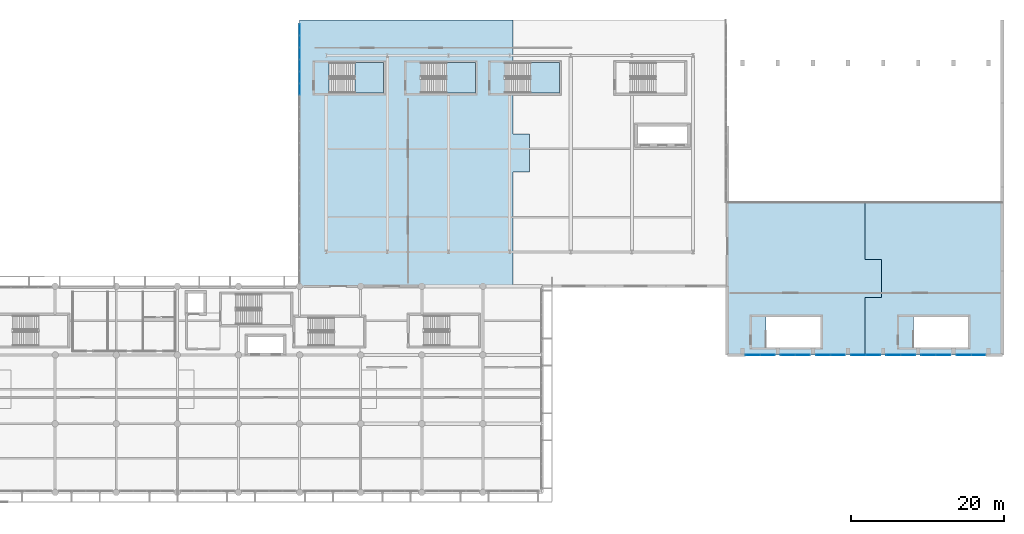
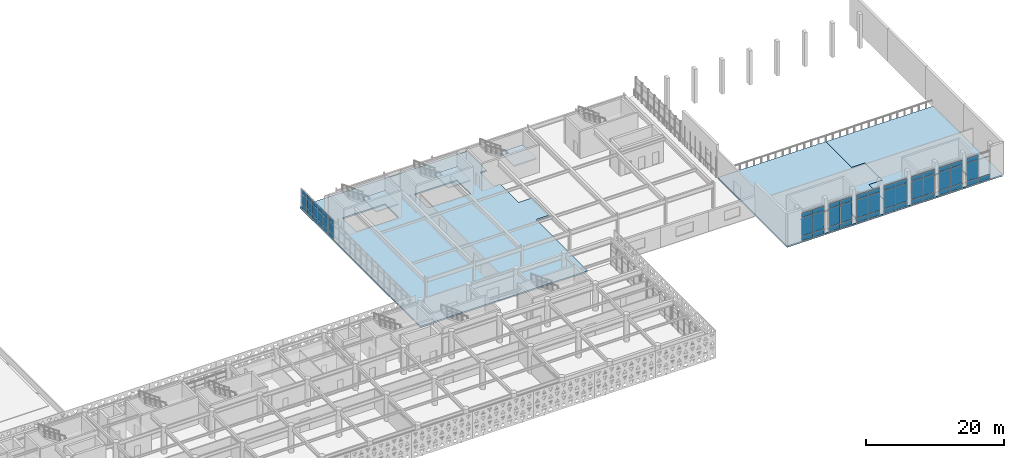
# One storey, part 33 of 54: 58 plates, 6 slabs, 11 elements without a shape of their own.
"""IFC4 building model written with IfcOpenShell, lengths in metres."""

from ifc_helpers import new_model, si_unit, direction, frame, origin, origin_2d, place, context, subcontext, project, spatial, polyline, rectangle, outline, extrude, material, layer, layer_set, type_object, element, aggregate, save


model = new_model("IFC4")

# Units and contexts
model_context = context("Model", 3, precision=1e-05, world=origin(), true_north=direction((0.0, 1.0)))
body_context = subcontext(model_context, "Body", "Model", "MODEL_VIEW")
ifc_project = project(units=[si_unit("LENGTHUNIT", "METRE"), si_unit("AREAUNIT", "SQUARE_METRE"), si_unit("VOLUMEUNIT", "CUBIC_METRE"), si_unit("PLANEANGLEUNIT", "RADIAN"), si_unit("MASSUNIT", "GRAM", prefix="KILO")], contexts=[model_context])

# Site, building, storey
site_placement = place(None, origin())
site = spatial("IfcSite", under=ifc_project, at=site_placement, CompositionType="ELEMENT")
building_placement = place(site_placement, origin())
building = spatial("IfcBuilding", under=site, at=building_placement, Name="Tlacozan Convention Centre", CompositionType="ELEMENT")
storey_placement = place(building_placement, frame((0.0, 0.0, 11.39990234375)))
storey = spatial("IfcBuildingStorey", under=building, at=storey_placement, Name="L02", CompositionType="ELEMENT", Elevation=11.39990234375)

# Curtain wall, plates
ifc_material_1 = material(Name="Dark Bronze Anodised Aluminium", Category="aluminium")
ifc_layer_1 = layer(ifc_material_1, 0.139892578125)
ifc_layer_set_1 = layer_set([ifc_layer_1], Name="Dark Bronze Anodised Aluminium")
curtain_wall_type_1 = type_object("IfcCurtainWallType", Name="Plenary Foyer L02 Curtain Wall CW12", PredefinedType="NOTDEFINED", material=ifc_layer_set_1)
curtain_wall_1_placement = place(storey_placement, origin())
curtain_wall_1 = element("IfcCurtainWall", 1, at=curtain_wall_1_placement, inside=storey, type_object=curtain_wall_type_1, Name="L02 CW-12 Run 142", PredefinedType="NOTDEFINED")
ifc_material_2 = material(Name="Solar Control Double Low-E Argon Glazing", Category="glass")
ifc_layer_2 = layer(ifc_material_2, 0.030029296875)
ifc_layer_set_2 = layer_set([ifc_layer_2], Name="Solar Control Double Low-E Argon Glazing")
plate_type_1 = type_object("IfcPlateType", Name="Double Low-E Acoustic CW Panel 30", PredefinedType="CURTAIN_PANEL", material=ifc_layer_set_2)
plate_1_placement = place(storey_placement, frame((147.340087890625, 18.0, 0.06005859375), z_axis=(0.0, 0.0, 1.0), x_axis=(1.0, 0.0, 0.0)))
plate_1 = element("IfcPlate", 2, at=plate_1_placement, type_object=plate_type_1, Name="CW-12 panel 1.1", PredefinedType="CURTAIN_PANEL", context=body_context, shape_type="SweptSolid", body=[
    extrude(rectangle(XDim=1.860107421875, YDim=0.030029296875, at=origin_2d()), origin(), (0.0, 0.0, 1.0), 0.81005859375),
])
plate_2_placement = place(storey_placement, frame((147.340087890625, 18.0, 0.93017578125), z_axis=(0.0, 0.0, 1.0), x_axis=(1.0, 0.0, 0.0)))
plate_2 = element("IfcPlate", 3, at=plate_2_placement, type_object=plate_type_1, Name="CW-12 panel 1.2", PredefinedType="CURTAIN_PANEL", context=body_context, shape_type="SweptSolid", body=[
    extrude(rectangle(XDim=1.860107421875, YDim=0.030029296875, at=origin_2d()), origin(), (0.0, 0.0, 1.0), 3.18994140625),
])
plate_3_placement = place(storey_placement, frame((147.340087890625, 18.0, 4.18017578125), z_axis=(0.0, 0.0, 1.0), x_axis=(1.0, 0.0, 0.0)))
plate_3 = element("IfcPlate", 4, at=plate_3_placement, type_object=plate_type_1, Name="CW-12 panel 1.3", PredefinedType="CURTAIN_PANEL", context=body_context, shape_type="SweptSolid", body=[
    extrude(rectangle(XDim=1.860107421875, YDim=0.030029296875, at=origin_2d()), origin(), (0.0, 0.0, 1.0), 0.760009765625),
])
plate_4_placement = place(storey_placement, frame((149.260009765625, 18.0, 0.06005859375), z_axis=(0.0, 0.0, 1.0), x_axis=(1.0, 0.0, 0.0)))
plate_4 = element("IfcPlate", 5, at=plate_4_placement, type_object=plate_type_1, Name="CW-12 panel 2.1", PredefinedType="CURTAIN_PANEL", context=body_context, shape_type="SweptSolid", body=[
    extrude(rectangle(XDim=1.860107421875, YDim=0.030029296875, at=origin_2d()), origin(), (0.0, 0.0, 1.0), 0.81005859375),
])
plate_5_placement = place(storey_placement, frame((149.260009765625, 18.0, 0.93017578125), z_axis=(0.0, 0.0, 1.0), x_axis=(1.0, 0.0, 0.0)))
plate_5 = element("IfcPlate", 6, at=plate_5_placement, type_object=plate_type_1, Name="CW-12 panel 2.2", PredefinedType="CURTAIN_PANEL", context=body_context, shape_type="SweptSolid", body=[
    extrude(rectangle(XDim=1.860107421875, YDim=0.030029296875, at=origin_2d()), origin(), (0.0, 0.0, 1.0), 3.18994140625),
])
plate_6_placement = place(storey_placement, frame((149.260009765625, 18.0, 4.18017578125), z_axis=(0.0, 0.0, 1.0), x_axis=(1.0, 0.0, 0.0)))
plate_6 = element("IfcPlate", 7, at=plate_6_placement, type_object=plate_type_1, Name="CW-12 panel 2.3", PredefinedType="CURTAIN_PANEL", context=body_context, shape_type="SweptSolid", body=[
    extrude(rectangle(XDim=1.860107421875, YDim=0.030029296875, at=origin_2d()), origin(), (0.0, 0.0, 1.0), 0.760009765625),
])
aggregate(curtain_wall_1, [plate_1, plate_2, plate_3, plate_4, plate_5, plate_6])

curtain_wall_2_placement = place(storey_placement, origin())
curtain_wall_2 = element("IfcCurtainWall", 8, at=curtain_wall_2_placement, inside=storey, type_object=curtain_wall_type_1, Name="L02 CW-12 Run 144", PredefinedType="NOTDEFINED")
plate_7_placement = place(storey_placement, frame((151.93994140625, 18.0, 0.06005859375), z_axis=(0.0, 0.0, 1.0), x_axis=(1.0, 0.0, 0.0)))
plate_7 = element("IfcPlate", 9, at=plate_7_placement, type_object=plate_type_1, Name="CW-12 panel 1.1", PredefinedType="CURTAIN_PANEL", context=body_context, shape_type="SweptSolid", body=[
    extrude(rectangle(XDim=1.860107421875, YDim=0.030029296875, at=origin_2d()), origin(), (0.0, 0.0, 1.0), 0.81005859375),
])
plate_8_placement = place(storey_placement, frame((151.93994140625, 18.0, 0.93017578125), z_axis=(0.0, 0.0, 1.0), x_axis=(1.0, 0.0, 0.0)))
plate_8 = element("IfcPlate", 10, at=plate_8_placement, type_object=plate_type_1, Name="CW-12 panel 1.2", PredefinedType="CURTAIN_PANEL", context=body_context, shape_type="SweptSolid", body=[
    extrude(rectangle(XDim=1.860107421875, YDim=0.030029296875, at=origin_2d()), origin(), (0.0, 0.0, 1.0), 3.18994140625),
])
plate_9_placement = place(storey_placement, frame((151.93994140625, 18.0, 4.18017578125), z_axis=(0.0, 0.0, 1.0), x_axis=(1.0, 0.0, 0.0)))
plate_9 = element("IfcPlate", 11, at=plate_9_placement, type_object=plate_type_1, Name="CW-12 panel 1.3", PredefinedType="CURTAIN_PANEL", context=body_context, shape_type="SweptSolid", body=[
    extrude(rectangle(XDim=1.860107421875, YDim=0.030029296875, at=origin_2d()), origin(), (0.0, 0.0, 1.0), 0.760009765625),
])
plate_10_placement = place(storey_placement, frame((153.860107421875, 18.0, 0.06005859375), z_axis=(0.0, 0.0, 1.0), x_axis=(1.0, 0.0, 0.0)))
plate_10 = element("IfcPlate", 12, at=plate_10_placement, type_object=plate_type_1, Name="CW-12 panel 2.1", PredefinedType="CURTAIN_PANEL", context=body_context, shape_type="SweptSolid", body=[
    extrude(rectangle(XDim=1.860107421875, YDim=0.030029296875, at=origin_2d()), origin(), (0.0, 0.0, 1.0), 0.81005859375),
])
plate_11_placement = place(storey_placement, frame((153.860107421875, 18.0, 0.93017578125), z_axis=(0.0, 0.0, 1.0), x_axis=(1.0, 0.0, 0.0)))
plate_11 = element("IfcPlate", 13, at=plate_11_placement, type_object=plate_type_1, Name="CW-12 panel 2.2", PredefinedType="CURTAIN_PANEL", context=body_context, shape_type="SweptSolid", body=[
    extrude(rectangle(XDim=1.860107421875, YDim=0.030029296875, at=origin_2d()), origin(), (0.0, 0.0, 1.0), 3.18994140625),
])
plate_12_placement = place(storey_placement, frame((153.860107421875, 18.0, 4.18017578125), z_axis=(0.0, 0.0, 1.0), x_axis=(1.0, 0.0, 0.0)))
plate_12 = element("IfcPlate", 14, at=plate_12_placement, type_object=plate_type_1, Name="CW-12 panel 2.3", PredefinedType="CURTAIN_PANEL", context=body_context, shape_type="SweptSolid", body=[
    extrude(rectangle(XDim=1.860107421875, YDim=0.030029296875, at=origin_2d()), origin(), (0.0, 0.0, 1.0), 0.760009765625),
])
aggregate(curtain_wall_2, [plate_7, plate_8, plate_9, plate_10, plate_11, plate_12])

curtain_wall_3_placement = place(storey_placement, origin())
curtain_wall_3 = element("IfcCurtainWall", 15, at=curtain_wall_3_placement, inside=storey, type_object=curtain_wall_type_1, Name="L02 CW-12 Run 146", PredefinedType="NOTDEFINED")
plate_13_placement = place(storey_placement, frame((156.5400390625, 18.0, 0.06005859375), z_axis=(0.0, 0.0, 1.0), x_axis=(1.0, 0.0, 0.0)))
plate_13 = element("IfcPlate", 16, at=plate_13_placement, type_object=plate_type_1, Name="CW-12 panel 1.1", PredefinedType="CURTAIN_PANEL", context=body_context, shape_type="SweptSolid", body=[
    extrude(rectangle(XDim=1.860107421875, YDim=0.030029296875, at=origin_2d()), origin(), (0.0, 0.0, 1.0), 0.81005859375),
])
plate_14_placement = place(storey_placement, frame((156.5400390625, 18.0, 0.93017578125), z_axis=(0.0, 0.0, 1.0), x_axis=(1.0, 0.0, 0.0)))
plate_14 = element("IfcPlate", 17, at=plate_14_placement, type_object=plate_type_1, Name="CW-12 panel 1.2", PredefinedType="CURTAIN_PANEL", context=body_context, shape_type="SweptSolid", body=[
    extrude(rectangle(XDim=1.860107421875, YDim=0.030029296875, at=origin_2d()), origin(), (0.0, 0.0, 1.0), 3.18994140625),
])
plate_15_placement = place(storey_placement, frame((156.5400390625, 18.0, 4.18017578125), z_axis=(0.0, 0.0, 1.0), x_axis=(1.0, 0.0, 0.0)))
plate_15 = element("IfcPlate", 18, at=plate_15_placement, type_object=plate_type_1, Name="CW-12 panel 1.3", PredefinedType="CURTAIN_PANEL", context=body_context, shape_type="SweptSolid", body=[
    extrude(rectangle(XDim=1.860107421875, YDim=0.030029296875, at=origin_2d()), origin(), (0.0, 0.0, 1.0), 0.760009765625),
])
plate_16_placement = place(storey_placement, frame((158.4599609375, 18.0, 0.06005859375), z_axis=(0.0, 0.0, 1.0), x_axis=(1.0, 0.0, 0.0)))
plate_16 = element("IfcPlate", 19, at=plate_16_placement, type_object=plate_type_1, Name="CW-12 panel 2.1", PredefinedType="CURTAIN_PANEL", context=body_context, shape_type="SweptSolid", body=[
    extrude(rectangle(XDim=1.860107421875, YDim=0.030029296875, at=origin_2d()), origin(), (0.0, 0.0, 1.0), 0.81005859375),
])
plate_17_placement = place(storey_placement, frame((158.4599609375, 18.0, 0.93017578125), z_axis=(0.0, 0.0, 1.0), x_axis=(1.0, 0.0, 0.0)))
plate_17 = element("IfcPlate", 20, at=plate_17_placement, type_object=plate_type_1, Name="CW-12 panel 2.2", PredefinedType="CURTAIN_PANEL", context=body_context, shape_type="SweptSolid", body=[
    extrude(rectangle(XDim=1.860107421875, YDim=0.030029296875, at=origin_2d()), origin(), (0.0, 0.0, 1.0), 3.18994140625),
])
plate_18_placement = place(storey_placement, frame((158.4599609375, 18.0, 4.18017578125), z_axis=(0.0, 0.0, 1.0), x_axis=(1.0, 0.0, 0.0)))
plate_18 = element("IfcPlate", 21, at=plate_18_placement, type_object=plate_type_1, Name="CW-12 panel 2.3", PredefinedType="CURTAIN_PANEL", context=body_context, shape_type="SweptSolid", body=[
    extrude(rectangle(XDim=1.860107421875, YDim=0.030029296875, at=origin_2d()), origin(), (0.0, 0.0, 1.0), 0.760009765625),
])
aggregate(curtain_wall_3, [plate_13, plate_14, plate_15, plate_16, plate_17, plate_18])

curtain_wall_4_placement = place(storey_placement, origin())
curtain_wall_4 = element("IfcCurtainWall", 22, at=curtain_wall_4_placement, inside=storey, type_object=curtain_wall_type_1, Name="L02 CW-12 Run 148", PredefinedType="NOTDEFINED")
plate_19_placement = place(storey_placement, frame((161.139892578125, 18.0, 0.06005859375), z_axis=(0.0, 0.0, 1.0), x_axis=(1.0, 0.0, 0.0)))
plate_19 = element("IfcPlate", 23, at=plate_19_placement, type_object=plate_type_1, Name="CW-12 panel 1.1", PredefinedType="CURTAIN_PANEL", context=body_context, shape_type="SweptSolid", body=[
    extrude(rectangle(XDim=1.860107421875, YDim=0.030029296875, at=origin_2d()), origin(), (0.0, 0.0, 1.0), 0.81005859375),
])
plate_20_placement = place(storey_placement, frame((161.139892578125, 18.0, 0.93017578125), z_axis=(0.0, 0.0, 1.0), x_axis=(1.0, 0.0, 0.0)))
plate_20 = element("IfcPlate", 24, at=plate_20_placement, type_object=plate_type_1, Name="CW-12 panel 1.2", PredefinedType="CURTAIN_PANEL", context=body_context, shape_type="SweptSolid", body=[
    extrude(rectangle(XDim=1.860107421875, YDim=0.030029296875, at=origin_2d()), origin(), (0.0, 0.0, 1.0), 3.18994140625),
])
plate_21_placement = place(storey_placement, frame((161.139892578125, 18.0, 4.18017578125), z_axis=(0.0, 0.0, 1.0), x_axis=(1.0, 0.0, 0.0)))
plate_21 = element("IfcPlate", 25, at=plate_21_placement, type_object=plate_type_1, Name="CW-12 panel 1.3", PredefinedType="CURTAIN_PANEL", context=body_context, shape_type="SweptSolid", body=[
    extrude(rectangle(XDim=1.860107421875, YDim=0.030029296875, at=origin_2d()), origin(), (0.0, 0.0, 1.0), 0.760009765625),
])
plate_22_placement = place(storey_placement, frame((163.06005859375, 18.0, 0.06005859375), z_axis=(0.0, 0.0, 1.0), x_axis=(1.0, 0.0, 0.0)))
plate_22 = element("IfcPlate", 26, at=plate_22_placement, type_object=plate_type_1, Name="CW-12 panel 2.1", PredefinedType="CURTAIN_PANEL", context=body_context, shape_type="SweptSolid", body=[
    extrude(rectangle(XDim=1.860107421875, YDim=0.030029296875, at=origin_2d()), origin(), (0.0, 0.0, 1.0), 0.81005859375),
])
plate_23_placement = place(storey_placement, frame((163.06005859375, 18.0, 0.93017578125), z_axis=(0.0, 0.0, 1.0), x_axis=(1.0, 0.0, 0.0)))
plate_23 = element("IfcPlate", 27, at=plate_23_placement, type_object=plate_type_1, Name="CW-12 panel 2.2", PredefinedType="CURTAIN_PANEL", context=body_context, shape_type="SweptSolid", body=[
    extrude(rectangle(XDim=1.860107421875, YDim=0.030029296875, at=origin_2d()), origin(), (0.0, 0.0, 1.0), 3.18994140625),
])
plate_24_placement = place(storey_placement, frame((163.06005859375, 18.0, 4.18017578125), z_axis=(0.0, 0.0, 1.0), x_axis=(1.0, 0.0, 0.0)))
plate_24 = element("IfcPlate", 28, at=plate_24_placement, type_object=plate_type_1, Name="CW-12 panel 2.3", PredefinedType="CURTAIN_PANEL", context=body_context, shape_type="SweptSolid", body=[
    extrude(rectangle(XDim=1.860107421875, YDim=0.030029296875, at=origin_2d()), origin(), (0.0, 0.0, 1.0), 0.760009765625),
])
aggregate(curtain_wall_4, [plate_19, plate_20, plate_21, plate_22, plate_23, plate_24])

curtain_wall_5_placement = place(storey_placement, origin())
curtain_wall_5 = element("IfcCurtainWall", 29, at=curtain_wall_5_placement, inside=storey, type_object=curtain_wall_type_1, Name="L02 CW-12 Run 150", PredefinedType="NOTDEFINED")
plate_25_placement = place(storey_placement, frame((165.739990234375, 18.0, 0.06005859375), z_axis=(0.0, 0.0, 1.0), x_axis=(1.0, 0.0, 0.0)))
plate_25 = element("IfcPlate", 30, at=plate_25_placement, type_object=plate_type_1, Name="CW-12 panel 1.1", PredefinedType="CURTAIN_PANEL", context=body_context, shape_type="SweptSolid", body=[
    extrude(rectangle(XDim=1.860107421875, YDim=0.030029296875, at=origin_2d()), origin(), (0.0, 0.0, 1.0), 0.81005859375),
])
plate_26_placement = place(storey_placement, frame((165.739990234375, 18.0, 0.93017578125), z_axis=(0.0, 0.0, 1.0), x_axis=(1.0, 0.0, 0.0)))
plate_26 = element("IfcPlate", 31, at=plate_26_placement, type_object=plate_type_1, Name="CW-12 panel 1.2", PredefinedType="CURTAIN_PANEL", context=body_context, shape_type="SweptSolid", body=[
    extrude(rectangle(XDim=1.860107421875, YDim=0.030029296875, at=origin_2d()), origin(), (0.0, 0.0, 1.0), 3.18994140625),
])
plate_27_placement = place(storey_placement, frame((165.739990234375, 18.0, 4.18017578125), z_axis=(0.0, 0.0, 1.0), x_axis=(1.0, 0.0, 0.0)))
plate_27 = element("IfcPlate", 32, at=plate_27_placement, type_object=plate_type_1, Name="CW-12 panel 1.3", PredefinedType="CURTAIN_PANEL", context=body_context, shape_type="SweptSolid", body=[
    extrude(rectangle(XDim=1.860107421875, YDim=0.030029296875, at=origin_2d()), origin(), (0.0, 0.0, 1.0), 0.760009765625),
])
plate_28_placement = place(storey_placement, frame((167.659912109375, 18.0, 0.06005859375), z_axis=(0.0, 0.0, 1.0), x_axis=(1.0, 0.0, 0.0)))
plate_28 = element("IfcPlate", 33, at=plate_28_placement, type_object=plate_type_1, Name="CW-12 panel 2.1", PredefinedType="CURTAIN_PANEL", context=body_context, shape_type="SweptSolid", body=[
    extrude(rectangle(XDim=1.860107421875, YDim=0.030029296875, at=origin_2d()), origin(), (0.0, 0.0, 1.0), 0.81005859375),
])
plate_29_placement = place(storey_placement, frame((167.659912109375, 18.0, 0.93017578125), z_axis=(0.0, 0.0, 1.0), x_axis=(1.0, 0.0, 0.0)))
plate_29 = element("IfcPlate", 34, at=plate_29_placement, type_object=plate_type_1, Name="CW-12 panel 2.2", PredefinedType="CURTAIN_PANEL", context=body_context, shape_type="SweptSolid", body=[
    extrude(rectangle(XDim=1.860107421875, YDim=0.030029296875, at=origin_2d()), origin(), (0.0, 0.0, 1.0), 3.18994140625),
])
plate_30_placement = place(storey_placement, frame((167.659912109375, 18.0, 4.18017578125), z_axis=(0.0, 0.0, 1.0), x_axis=(1.0, 0.0, 0.0)))
plate_30 = element("IfcPlate", 35, at=plate_30_placement, type_object=plate_type_1, Name="CW-12 panel 2.3", PredefinedType="CURTAIN_PANEL", context=body_context, shape_type="SweptSolid", body=[
    extrude(rectangle(XDim=1.860107421875, YDim=0.030029296875, at=origin_2d()), origin(), (0.0, 0.0, 1.0), 0.760009765625),
])
aggregate(curtain_wall_5, [plate_25, plate_26, plate_27, plate_28, plate_29, plate_30])

curtain_wall_6_placement = place(storey_placement, origin())
curtain_wall_6 = element("IfcCurtainWall", 36, at=curtain_wall_6_placement, inside=storey, type_object=curtain_wall_type_1, Name="L02 CW-12 Run 152", PredefinedType="NOTDEFINED")
plate_31_placement = place(storey_placement, frame((170.340087890625, 18.0, 0.06005859375), z_axis=(0.0, 0.0, 1.0), x_axis=(1.0, 0.0, 0.0)))
plate_31 = element("IfcPlate", 37, at=plate_31_placement, type_object=plate_type_1, Name="CW-12 panel 1.1", PredefinedType="CURTAIN_PANEL", context=body_context, shape_type="SweptSolid", body=[
    extrude(rectangle(XDim=1.860107421875, YDim=0.030029296875, at=origin_2d()), origin(), (0.0, 0.0, 1.0), 0.81005859375),
])
plate_32_placement = place(storey_placement, frame((170.340087890625, 18.0, 0.93017578125), z_axis=(0.0, 0.0, 1.0), x_axis=(1.0, 0.0, 0.0)))
plate_32 = element("IfcPlate", 38, at=plate_32_placement, type_object=plate_type_1, Name="CW-12 panel 1.2", PredefinedType="CURTAIN_PANEL", context=body_context, shape_type="SweptSolid", body=[
    extrude(rectangle(XDim=1.860107421875, YDim=0.030029296875, at=origin_2d()), origin(), (0.0, 0.0, 1.0), 3.18994140625),
])
plate_33_placement = place(storey_placement, frame((170.340087890625, 18.0, 4.18017578125), z_axis=(0.0, 0.0, 1.0), x_axis=(1.0, 0.0, 0.0)))
plate_33 = element("IfcPlate", 39, at=plate_33_placement, type_object=plate_type_1, Name="CW-12 panel 1.3", PredefinedType="CURTAIN_PANEL", context=body_context, shape_type="SweptSolid", body=[
    extrude(rectangle(XDim=1.860107421875, YDim=0.030029296875, at=origin_2d()), origin(), (0.0, 0.0, 1.0), 0.760009765625),
])
plate_34_placement = place(storey_placement, frame((172.260009765625, 18.0, 0.06005859375), z_axis=(0.0, 0.0, 1.0), x_axis=(1.0, 0.0, 0.0)))
plate_34 = element("IfcPlate", 40, at=plate_34_placement, type_object=plate_type_1, Name="CW-12 panel 2.1", PredefinedType="CURTAIN_PANEL", context=body_context, shape_type="SweptSolid", body=[
    extrude(rectangle(XDim=1.860107421875, YDim=0.030029296875, at=origin_2d()), origin(), (0.0, 0.0, 1.0), 0.81005859375),
])
plate_35_placement = place(storey_placement, frame((172.260009765625, 18.0, 0.93017578125), z_axis=(0.0, 0.0, 1.0), x_axis=(1.0, 0.0, 0.0)))
plate_35 = element("IfcPlate", 41, at=plate_35_placement, type_object=plate_type_1, Name="CW-12 panel 2.2", PredefinedType="CURTAIN_PANEL", context=body_context, shape_type="SweptSolid", body=[
    extrude(rectangle(XDim=1.860107421875, YDim=0.030029296875, at=origin_2d()), origin(), (0.0, 0.0, 1.0), 3.18994140625),
])
plate_36_placement = place(storey_placement, frame((172.260009765625, 18.0, 4.18017578125), z_axis=(0.0, 0.0, 1.0), x_axis=(1.0, 0.0, 0.0)))
plate_36 = element("IfcPlate", 42, at=plate_36_placement, type_object=plate_type_1, Name="CW-12 panel 2.3", PredefinedType="CURTAIN_PANEL", context=body_context, shape_type="SweptSolid", body=[
    extrude(rectangle(XDim=1.860107421875, YDim=0.030029296875, at=origin_2d()), origin(), (0.0, 0.0, 1.0), 0.760009765625),
])
aggregate(curtain_wall_6, [plate_31, plate_32, plate_33, plate_34, plate_35, plate_36])

curtain_wall_7_placement = place(storey_placement, origin())
curtain_wall_7 = element("IfcCurtainWall", 43, at=curtain_wall_7_placement, inside=storey, type_object=curtain_wall_type_1, Name="L02 CW-12 Run 154", PredefinedType="NOTDEFINED")
plate_37_placement = place(storey_placement, frame((174.93994140625, 18.0, 0.06005859375), z_axis=(0.0, 0.0, 1.0), x_axis=(1.0, 0.0, 0.0)))
plate_37 = element("IfcPlate", 44, at=plate_37_placement, type_object=plate_type_1, Name="CW-12 panel 1.1", PredefinedType="CURTAIN_PANEL", context=body_context, shape_type="SweptSolid", body=[
    extrude(rectangle(XDim=1.860107421875, YDim=0.030029296875, at=origin_2d()), origin(), (0.0, 0.0, 1.0), 0.81005859375),
])
plate_38_placement = place(storey_placement, frame((174.93994140625, 18.0, 0.93017578125), z_axis=(0.0, 0.0, 1.0), x_axis=(1.0, 0.0, 0.0)))
plate_38 = element("IfcPlate", 45, at=plate_38_placement, type_object=plate_type_1, Name="CW-12 panel 1.2", PredefinedType="CURTAIN_PANEL", context=body_context, shape_type="SweptSolid", body=[
    extrude(rectangle(XDim=1.860107421875, YDim=0.030029296875, at=origin_2d()), origin(), (0.0, 0.0, 1.0), 3.18994140625),
])
plate_39_placement = place(storey_placement, frame((174.93994140625, 18.0, 4.18017578125), z_axis=(0.0, 0.0, 1.0), x_axis=(1.0, 0.0, 0.0)))
plate_39 = element("IfcPlate", 46, at=plate_39_placement, type_object=plate_type_1, Name="CW-12 panel 1.3", PredefinedType="CURTAIN_PANEL", context=body_context, shape_type="SweptSolid", body=[
    extrude(rectangle(XDim=1.860107421875, YDim=0.030029296875, at=origin_2d()), origin(), (0.0, 0.0, 1.0), 0.760009765625),
])
plate_40_placement = place(storey_placement, frame((176.860107421875, 18.0, 0.06005859375), z_axis=(0.0, 0.0, 1.0), x_axis=(1.0, 0.0, 0.0)))
plate_40 = element("IfcPlate", 47, at=plate_40_placement, type_object=plate_type_1, Name="CW-12 panel 2.1", PredefinedType="CURTAIN_PANEL", context=body_context, shape_type="SweptSolid", body=[
    extrude(rectangle(XDim=1.860107421875, YDim=0.030029296875, at=origin_2d()), origin(), (0.0, 0.0, 1.0), 0.81005859375),
])
aggregate(curtain_wall_7, [plate_37, plate_38, plate_39, plate_40])

ifc_layer_3 = layer(ifc_material_1, 0.199951171875)
ifc_layer_set_3 = layer_set([ifc_layer_3], Name="Dark Bronze Anodised Aluminium")
curtain_wall_type_2 = type_object("IfcCurtainWallType", Name="Unitised Dining Cloister L02 CW09", PredefinedType="NOTDEFINED", material=ifc_layer_set_3)
curtain_wall_8_placement = place(storey_placement, origin())
curtain_wall_8 = element("IfcCurtainWall", 48, at=curtain_wall_8_placement, inside=storey, type_object=curtain_wall_type_2, Name="L02 CW-09 Run 164", PredefinedType="NOTDEFINED")
ifc_layer_4 = layer(ifc_material_2, 0.02001953125)
ifc_layer_set_4 = layer_set([ifc_layer_4], Name="Solar Control Double Low-E Argon Glazing")
plate_type_2 = type_object("IfcPlateType", Name="Double Low-E Glazed CW Panel 20", PredefinedType="CURTAIN_PANEL", material=ifc_layer_set_4)
plate_41_placement = place(storey_placement, frame((88.0, 52.802001953125, 0.074951171875), z_axis=(0.0, 0.0, 1.0), x_axis=(0.0, 1.0, 0.0)))
plate_41 = element("IfcPlate", 49, at=plate_41_placement, type_object=plate_type_2, Name="CW-09 panel 1.1", PredefinedType="CURTAIN_PANEL", context=body_context, shape_type="SweptSolid", body=[
    extrude(rectangle(XDim=1.4541015625, YDim=0.02001953125, at=origin_2d()), origin(), (0.0, 0.0, 1.0), 0.78759765625),
])
plate_42_placement = place(storey_placement, frame((88.0, 52.802001953125, 0.9375), z_axis=(0.0, 0.0, 1.0), x_axis=(0.0, 1.0, 0.0)))
plate_42 = element("IfcPlate", 50, at=plate_42_placement, type_object=plate_type_2, Name="CW-09 panel 1.2", PredefinedType="CURTAIN_PANEL", context=body_context, shape_type="SweptSolid", body=[
    extrude(rectangle(XDim=1.4541015625, YDim=0.02001953125, at=origin_2d()), origin(), (0.0, 0.0, 1.0), 1.675048828125),
])
plate_43_placement = place(storey_placement, frame((88.0, 52.802001953125, 2.6875), z_axis=(0.0, 0.0, 1.0), x_axis=(0.0, 1.0, 0.0)))
plate_43 = element("IfcPlate", 51, at=plate_43_placement, type_object=plate_type_2, Name="CW-09 panel 1.3", PredefinedType="CURTAIN_PANEL", context=body_context, shape_type="SweptSolid", body=[
    extrude(rectangle(XDim=1.4541015625, YDim=0.02001953125, at=origin_2d()), origin(), (0.0, 0.0, 1.0), 0.737548828125),
])
plate_44_placement = place(storey_placement, frame((88.0, 54.35009765625, 0.074951171875), z_axis=(0.0, 0.0, 1.0), x_axis=(0.0, 1.0, 0.0)))
plate_44 = element("IfcPlate", 52, at=plate_44_placement, type_object=plate_type_2, Name="CW-09 panel 2.1", PredefinedType="CURTAIN_PANEL", context=body_context, shape_type="SweptSolid", body=[
    extrude(rectangle(XDim=1.49169921875, YDim=0.02001953125, at=origin_2d()), origin(), (0.0, 0.0, 1.0), 0.78759765625),
])
plate_45_placement = place(storey_placement, frame((88.0, 54.35009765625, 0.9375), z_axis=(0.0, 0.0, 1.0), x_axis=(0.0, 1.0, 0.0)))
plate_45 = element("IfcPlate", 53, at=plate_45_placement, type_object=plate_type_2, Name="CW-09 panel 2.2", PredefinedType="CURTAIN_PANEL", context=body_context, shape_type="SweptSolid", body=[
    extrude(rectangle(XDim=1.49169921875, YDim=0.02001953125, at=origin_2d()), origin(), (0.0, 0.0, 1.0), 1.675048828125),
])
plate_46_placement = place(storey_placement, frame((88.0, 54.35009765625, 2.6875), z_axis=(0.0, 0.0, 1.0), x_axis=(0.0, 1.0, 0.0)))
plate_46 = element("IfcPlate", 54, at=plate_46_placement, type_object=plate_type_2, Name="CW-09 panel 2.3", PredefinedType="CURTAIN_PANEL", context=body_context, shape_type="SweptSolid", body=[
    extrude(rectangle(XDim=1.49169921875, YDim=0.02001953125, at=origin_2d()), origin(), (0.0, 0.0, 1.0), 0.737548828125),
])
plate_47_placement = place(storey_placement, frame((88.0, 55.916748046875, 0.074951171875), z_axis=(0.0, 0.0, 1.0), x_axis=(0.0, 1.0, 0.0)))
plate_47 = element("IfcPlate", 55, at=plate_47_placement, type_object=plate_type_2, Name="CW-09 panel 3.1", PredefinedType="CURTAIN_PANEL", context=body_context, shape_type="SweptSolid", body=[
    extrude(rectangle(XDim=1.49169921875, YDim=0.02001953125, at=origin_2d()), origin(), (0.0, 0.0, 1.0), 0.78759765625),
])
plate_48_placement = place(storey_placement, frame((88.0, 55.916748046875, 0.9375), z_axis=(0.0, 0.0, 1.0), x_axis=(0.0, 1.0, 0.0)))
plate_48 = element("IfcPlate", 56, at=plate_48_placement, type_object=plate_type_2, Name="CW-09 panel 3.2", PredefinedType="CURTAIN_PANEL", context=body_context, shape_type="SweptSolid", body=[
    extrude(rectangle(XDim=1.49169921875, YDim=0.02001953125, at=origin_2d()), origin(), (0.0, 0.0, 1.0), 1.675048828125),
])
plate_49_placement = place(storey_placement, frame((88.0, 55.916748046875, 2.6875), z_axis=(0.0, 0.0, 1.0), x_axis=(0.0, 1.0, 0.0)))
plate_49 = element("IfcPlate", 57, at=plate_49_placement, type_object=plate_type_2, Name="CW-09 panel 3.3", PredefinedType="CURTAIN_PANEL", context=body_context, shape_type="SweptSolid", body=[
    extrude(rectangle(XDim=1.49169921875, YDim=0.02001953125, at=origin_2d()), origin(), (0.0, 0.0, 1.0), 0.737548828125),
])
plate_50_placement = place(storey_placement, frame((88.0, 57.4833984375, 0.074951171875), z_axis=(0.0, 0.0, 1.0), x_axis=(0.0, 1.0, 0.0)))
plate_50 = element("IfcPlate", 58, at=plate_50_placement, type_object=plate_type_2, Name="CW-09 panel 4.1", PredefinedType="CURTAIN_PANEL", context=body_context, shape_type="SweptSolid", body=[
    extrude(rectangle(XDim=1.49169921875, YDim=0.02001953125, at=origin_2d()), origin(), (0.0, 0.0, 1.0), 0.78759765625),
])
plate_51_placement = place(storey_placement, frame((88.0, 57.4833984375, 0.9375), z_axis=(0.0, 0.0, 1.0), x_axis=(0.0, 1.0, 0.0)))
plate_51 = element("IfcPlate", 59, at=plate_51_placement, type_object=plate_type_2, Name="CW-09 panel 4.2", PredefinedType="CURTAIN_PANEL", context=body_context, shape_type="SweptSolid", body=[
    extrude(rectangle(XDim=1.49169921875, YDim=0.02001953125, at=origin_2d()), origin(), (0.0, 0.0, 1.0), 1.675048828125),
])
plate_52_placement = place(storey_placement, frame((88.0, 57.4833984375, 2.6875), z_axis=(0.0, 0.0, 1.0), x_axis=(0.0, 1.0, 0.0)))
plate_52 = element("IfcPlate", 60, at=plate_52_placement, type_object=plate_type_2, Name="CW-09 panel 4.3", PredefinedType="CURTAIN_PANEL", context=body_context, shape_type="SweptSolid", body=[
    extrude(rectangle(XDim=1.49169921875, YDim=0.02001953125, at=origin_2d()), origin(), (0.0, 0.0, 1.0), 0.737548828125),
])
plate_53_placement = place(storey_placement, frame((88.0, 59.050048828125, 0.074951171875), z_axis=(0.0, 0.0, 1.0), x_axis=(0.0, 1.0, 0.0)))
plate_53 = element("IfcPlate", 61, at=plate_53_placement, type_object=plate_type_2, Name="CW-09 panel 5.1", PredefinedType="CURTAIN_PANEL", context=body_context, shape_type="SweptSolid", body=[
    extrude(rectangle(XDim=1.49169921875, YDim=0.02001953125, at=origin_2d()), origin(), (0.0, 0.0, 1.0), 0.78759765625),
])
plate_54_placement = place(storey_placement, frame((88.0, 59.050048828125, 0.9375), z_axis=(0.0, 0.0, 1.0), x_axis=(0.0, 1.0, 0.0)))
plate_54 = element("IfcPlate", 62, at=plate_54_placement, type_object=plate_type_2, Name="CW-09 panel 5.2", PredefinedType="CURTAIN_PANEL", context=body_context, shape_type="SweptSolid", body=[
    extrude(rectangle(XDim=1.49169921875, YDim=0.02001953125, at=origin_2d()), origin(), (0.0, 0.0, 1.0), 1.675048828125),
])
plate_55_placement = place(storey_placement, frame((88.0, 59.050048828125, 2.6875), z_axis=(0.0, 0.0, 1.0), x_axis=(0.0, 1.0, 0.0)))
plate_55 = element("IfcPlate", 63, at=plate_55_placement, type_object=plate_type_2, Name="CW-09 panel 5.3", PredefinedType="CURTAIN_PANEL", context=body_context, shape_type="SweptSolid", body=[
    extrude(rectangle(XDim=1.49169921875, YDim=0.02001953125, at=origin_2d()), origin(), (0.0, 0.0, 1.0), 0.737548828125),
])
plate_56_placement = place(storey_placement, frame((88.0, 60.597900390625, 0.074951171875), z_axis=(0.0, 0.0, 1.0), x_axis=(0.0, 1.0, 0.0)))
plate_56 = element("IfcPlate", 64, at=plate_56_placement, type_object=plate_type_2, Name="CW-09 panel 6.1", PredefinedType="CURTAIN_PANEL", context=body_context, shape_type="SweptSolid", body=[
    extrude(rectangle(XDim=1.4541015625, YDim=0.02001953125, at=origin_2d()), origin(), (0.0, 0.0, 1.0), 0.78759765625),
])
plate_57_placement = place(storey_placement, frame((88.0, 60.597900390625, 0.9375), z_axis=(0.0, 0.0, 1.0), x_axis=(0.0, 1.0, 0.0)))
plate_57 = element("IfcPlate", 65, at=plate_57_placement, type_object=plate_type_2, Name="CW-09 panel 6.2", PredefinedType="CURTAIN_PANEL", context=body_context, shape_type="SweptSolid", body=[
    extrude(rectangle(XDim=1.4541015625, YDim=0.02001953125, at=origin_2d()), origin(), (0.0, 0.0, 1.0), 1.675048828125),
])
plate_58_placement = place(storey_placement, frame((88.0, 60.597900390625, 2.6875), z_axis=(0.0, 0.0, 1.0), x_axis=(0.0, 1.0, 0.0)))
plate_58 = element("IfcPlate", 66, at=plate_58_placement, type_object=plate_type_2, Name="CW-09 panel 6.3", PredefinedType="CURTAIN_PANEL", context=body_context, shape_type="SweptSolid", body=[
    extrude(rectangle(XDim=1.4541015625, YDim=0.02001953125, at=origin_2d()), origin(), (0.0, 0.0, 1.0), 0.737548828125),
])
aggregate(curtain_wall_8, [plate_41, plate_42, plate_43, plate_44, plate_45, plate_46, plate_47, plate_48, plate_49, plate_50, plate_51, plate_52, plate_53, plate_54, plate_55, plate_56, plate_57, plate_58])

# Stair, slab
ifc_material_3 = material(Name="Concrete C40/50", Category="concrete")
stair_type = type_object("IfcStairType", Name="Protected Dogleg Stair W188 H48", PredefinedType="HALF_TURN_STAIR", material=ifc_material_3)
stair_1_placement = place(storey_placement, origin())
stair_1 = element("IfcStair", 67, at=stair_1_placement, inside=storey, type_object=stair_type, Name="L02 Ballroom West Stair", PredefinedType="HALF_TURN_STAIR")
ifc_layer_5 = layer(ifc_material_3, 0.199951171875)
ifc_layer_set_5 = layer_set([ifc_layer_5], Name="Concrete C40/50")
slab_type_1 = type_object("IfcSlabType", Name="Stair Half Landing Slab 200", PredefinedType="LANDING", material=ifc_layer_set_5)
slab_1_placement = place(storey_placement, frame((0.0, 0.0, 2.2001953125)))
slab_1 = element("IfcSlab", 68, at=slab_1_placement, type_object=slab_type_1, Name="ST-06 landing 1", PredefinedType="LANDING", context=body_context, shape_type="SweptSolid", body=[
    extrude(outline(polyline([(95.239990234375, 52.300048828125), (99.0, 52.300048828125), (99.0, 56.260009765625), (95.239990234375, 56.260009765625), (95.239990234375, 52.300048828125)])), origin(), (0.0, 0.0, 1.0), 0.199951171875),
])
aggregate(stair_1, [slab_1])

stair_2_placement = place(storey_placement, origin())
stair_2 = element("IfcStair", 69, at=stair_2_placement, inside=storey, type_object=stair_type, Name="L02 Ballroom Courtyard Stair", PredefinedType="HALF_TURN_STAIR")
slab_2_placement = place(storey_placement, frame((0.0, 0.0, 2.2001953125)))
slab_2 = element("IfcSlab", 70, at=slab_2_placement, type_object=slab_type_1, Name="ST-17 landing 1", PredefinedType="LANDING", context=body_context, shape_type="SweptSolid", body=[
    extrude(outline(polyline([(107.239990234375, 52.300048828125), (111.0, 52.300048828125), (111.0, 56.260009765625), (107.239990234375, 56.260009765625), (107.239990234375, 52.300048828125)])), origin(), (0.0, 0.0, 1.0), 0.199951171875),
])
aggregate(stair_2, [slab_2])

stair_3_placement = place(storey_placement, origin())
stair_3 = element("IfcStair", 71, at=stair_3_placement, inside=storey, type_object=stair_type, Name="L02 Ballroom East Terrace Stair", PredefinedType="HALF_TURN_STAIR")
slab_3_placement = place(storey_placement, frame((0.0, 0.0, 2.2001953125)))
slab_3 = element("IfcSlab", 72, at=slab_3_placement, type_object=slab_type_1, Name="ST-18 landing 1", PredefinedType="LANDING", context=body_context, shape_type="SweptSolid", body=[
    extrude(outline(polyline([(118.239990234375, 52.300048828125), (122.0, 52.300048828125), (122.0, 56.260009765625), (118.239990234375, 56.260009765625), (118.239990234375, 52.300048828125)])), origin(), (0.0, 0.0, 1.0), 0.199951171875),
])
aggregate(stair_3, [slab_3])

# Slabs
ifc_layer_6 = layer(ifc_material_3, 0.260009765625)
ifc_layer_set_6 = layer_set([ifc_layer_6], Name="Concrete C40/50")
slab_type_2 = type_object("IfcSlabType", Name="Upper Congress Floor Slab 260", PredefinedType="FLOOR", material=ifc_layer_set_6)
slab_4_placement = place(storey_placement, frame((0.0, 0.0, -0.260009765625)))
element("IfcSlab", 73, at=slab_4_placement, inside=storey, type_object=slab_type_2, Name="L02 Upper Congress Floor Slab 260 72", PredefinedType="FLOOR", context=body_context, shape_type="SweptSolid", body=[
    extrude(outline(polyline([(88.0, 27.0), (88.0, 61.85009765625), (115.925048828125, 61.85009765625), (115.925048828125, 56.260009765625), (114.8798828125, 56.260009765625), (114.8798828125, 52.300048828125), (115.925048828125, 52.300048828125), (115.925048828125, 46.925048828125), (118.125, 46.925048828125), (118.125, 41.925048828125), (115.925048828125, 41.925048828125), (115.925048828125, 27.0), (88.0, 27.0)]), holes=[polyline([(99.0, 52.300048828125), (99.0, 56.260009765625), (91.8798828125, 56.260009765625), (91.8798828125, 52.300048828125), (99.0, 52.300048828125)]), polyline([(111.0, 52.300048828125), (111.0, 56.260009765625), (103.8798828125, 56.260009765625), (103.8798828125, 52.300048828125), (111.0, 52.300048828125)])]), origin(), (0.0, 0.0, 1.0), 0.260009765625),
])
slab_5_placement = place(storey_placement, frame((0.0, 0.0, -0.260009765625)))
element("IfcSlab", 74, at=slab_5_placement, inside=storey, type_object=slab_type_2, Name="L02 Upper Congress Floor Slab 260 74", PredefinedType="FLOOR", context=body_context, shape_type="SweptSolid", body=[
    extrude(outline(polyline([(144.0, 18.0), (144.0, 38.0), (162.0, 38.0), (162.0, 30.5), (164.199951171875, 30.5), (164.199951171875, 25.5), (162.0, 25.5), (162.0, 18.0), (144.0, 18.0)]), holes=[polyline([(156.199951171875, 19.0), (156.199951171875, 22.9599609375), (149.080078125, 22.9599609375), (149.080078125, 19.0), (156.199951171875, 19.0)])]), origin(), (0.0, 0.0, 1.0), 0.260009765625),
])
slab_6_placement = place(storey_placement, frame((0.0, 0.0, -0.260009765625)))
element("IfcSlab", 75, at=slab_6_placement, inside=storey, type_object=slab_type_2, Name="L02 Upper Congress Floor Slab 260 75", PredefinedType="FLOOR", context=body_context, shape_type="SweptSolid", body=[
    extrude(outline(polyline([(180.0, 38.0), (180.0, 18.0), (162.0, 18.0), (162.0, 25.5), (164.199951171875, 25.5), (164.199951171875, 30.5), (162.0, 30.5), (162.0, 38.0), (180.0, 38.0)]), holes=[polyline([(175.5, 19.0), (175.5, 22.9599609375), (168.3798828125, 22.9599609375), (168.3798828125, 19.0), (175.5, 19.0)])]), origin(), (0.0, 0.0, 1.0), 0.260009765625),
])

save(model, "model.ifc")
